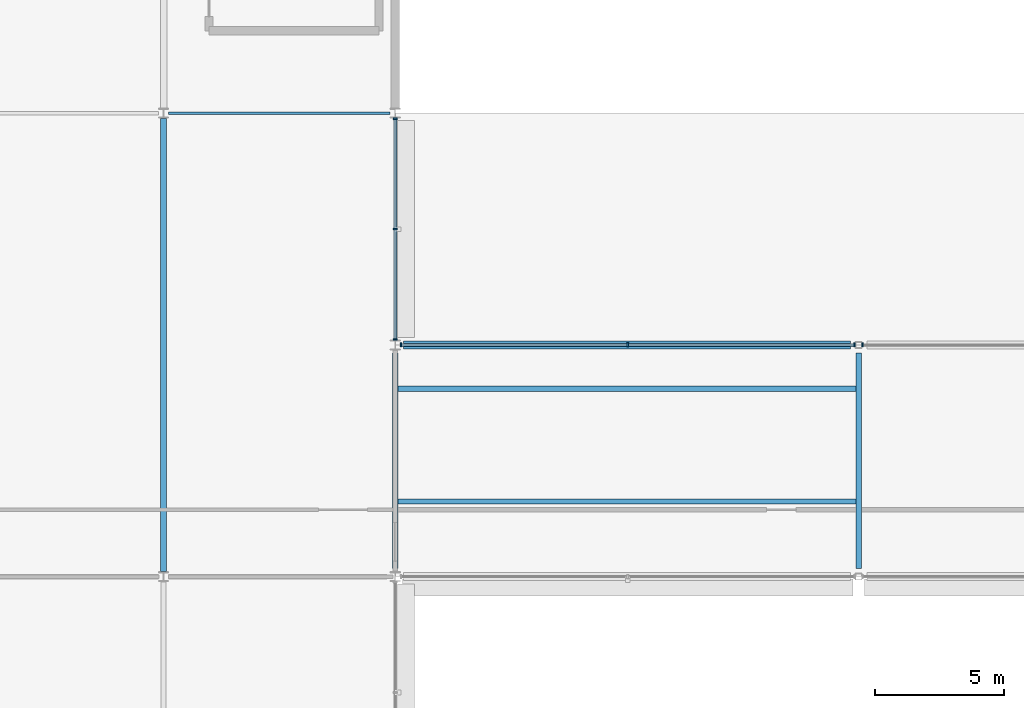
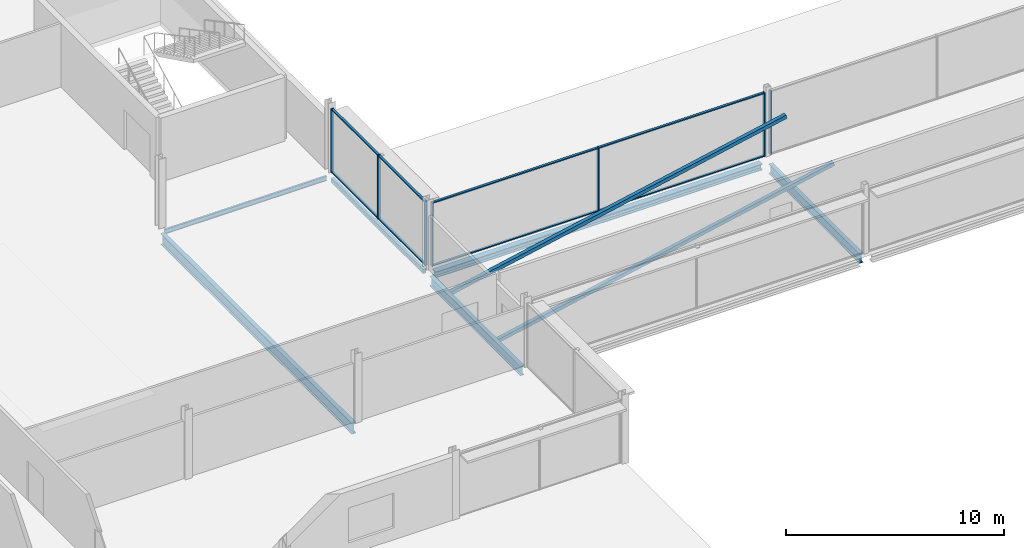
# One storey, part 20 of 105: 17 members, 6 beams, 3 elements without a shape of their own.
"""IFC4 building model written with IfcOpenShell, lengths in metres."""

from ifc_helpers import new_model, si_unit, direction, frame, origin, origin_2d, place, context, subcontext, project, spatial, rectangle, hollow_rectangle, i_section, extrude, material, layer, layer_set, material_profile, profile_set, type_object, element, aggregate, save


model = new_model("IFC4")

# Units and contexts
model_context = context("Model", 3, precision=1e-05, world=origin(), true_north=direction((0.0, 1.0)))
body_context = subcontext(model_context, "Body", "Model", "MODEL_VIEW")
ifc_project = project(units=[si_unit("LENGTHUNIT", "METRE"), si_unit("AREAUNIT", "SQUARE_METRE"), si_unit("VOLUMEUNIT", "CUBIC_METRE"), si_unit("PLANEANGLEUNIT", "RADIAN"), si_unit("MASSUNIT", "GRAM", prefix="KILO")], contexts=[model_context])

# Site, building, storey
site_placement = place(None, origin())
site = spatial("IfcSite", under=ifc_project, at=site_placement, CompositionType="ELEMENT")
building_placement = place(site_placement, origin())
building = spatial("IfcBuilding", under=site, at=building_placement, Name="Kisiwana Market Hall", CompositionType="ELEMENT")
storey_placement = place(building_placement, frame((0.0, 0.0, 21.60009765625)))
storey = spatial("IfcBuildingStorey", under=building, at=storey_placement, Name="L04", CompositionType="ELEMENT", Elevation=21.60009765625)

# Beams
ifc_material_1 = material(Name="Steel S355", Category="steel")
ifc_material_profile_1 = material_profile(ifc_material_1, i_section(OverallWidth=0.209228515625, OverallDepth=0.533203125, WebThickness=0.010009765625, FlangeThickness=0.015625, at=origin_2d()), Name="UB 533x210x92")
ifc_profile_set_1 = profile_set([ifc_material_profile_1], Name="Steel S355")
beam_type_1 = type_object("IfcBeamType", Name="BM-GIRD-UB533", PredefinedType="BEAM", material=ifc_profile_set_1)
for number, where, z_axis, x_axis, name in (
    (1, (45.0, 18.321044921875, -0.53173828125), (0.0, 1.0, 0.0), (-1.0, 0.0, 0.0), "Primary girder B-1357"),
    (2, (63.0, 18.321044921875, -0.53173828125), (0.0, 1.0, 0.0), (-1.0, 0.0, 0.0), "Primary girder B-1359"),
):
    element("IfcBeam", number, at=place(storey_placement, frame(where, z_axis=z_axis, x_axis=x_axis)), inside=storey, type_object=beam_type_1, Name=name, PredefinedType="BEAM", context=body_context, shape_type="SweptSolid", body=[
        extrude(i_section(OverallWidth=0.209228515625, OverallDepth=0.533203125, WebThickness=0.010009765625, FlangeThickness=0.015625, at=origin_2d()), origin(), (0.0, 0.0, 1.0), 8.35791015625),
    ])
ifc_material_2 = material(Name="Steel S355", Category="steel")
ifc_material_profile_2 = material_profile(ifc_material_2, i_section(OverallWidth=0.22900390625, OverallDepth=0.6123046875, WebThickness=0.011962890625, FlangeThickness=0.01953125, at=origin_2d()), Name="UB 610x229x125")
ifc_profile_set_2 = profile_set([ifc_material_profile_2], Name="Steel S355")
beam_type_2 = type_object("IfcBeamType", Name="BM-GIRD-UB610H", PredefinedType="BEAM", material=ifc_profile_set_2)
beam_1_placement = place(storey_placement, frame((36.0, 18.2041015625, -0.55126953125), z_axis=(0.0, 1.0, 0.0), x_axis=(-1.0, 0.0, 0.0)))
element("IfcBeam", 3, at=beam_1_placement, inside=storey, type_object=beam_type_2, Name="Primary girder B-1352", PredefinedType="BEAM", context=body_context, shape_type="SweptSolid", body=[
    extrude(i_section(OverallWidth=0.22900390625, OverallDepth=0.6123046875, WebThickness=0.011962890625, FlangeThickness=0.01953125, at=origin_2d()), origin(), (0.0, 0.0, 1.0), 17.591796875),
])
ifc_material_3 = material(Name="Steel S355", Category="steel")
ifc_material_profile_3 = material_profile(ifc_material_3, i_section(OverallWidth=0.102294921875, OverallDepth=0.260498046875, WebThickness=0.00634765625, FlangeThickness=0.010009765625, FilletRadius=0.007568359375, at=origin_2d()), Name="UB 254x102x28")
ifc_profile_set_3 = profile_set([ifc_material_profile_3], Name="Steel S355")
beam_type_3 = type_object("IfcBeamType", Name="BM-JOIST-UB028", PredefinedType="JOIST", material=ifc_profile_set_3)
beam_2_placement = place(storey_placement, frame((36.198974609375, 36.0, -0.375244140625), z_axis=(1.0, 0.0, 0.0), x_axis=(0.0, 1.0, 0.0)))
element("IfcBeam", 4, at=beam_2_placement, inside=storey, type_object=beam_type_3, Name="Floor beam B-1446", PredefinedType="JOIST", context=body_context, shape_type="SweptSolid", body=[
    extrude(i_section(OverallWidth=0.102294921875, OverallDepth=0.260498046875, WebThickness=0.00634765625, FlangeThickness=0.010009765625, FilletRadius=0.007568359375, at=origin_2d()), origin(), (0.0, 0.0, 1.0), 8.59912109375),
])
ifc_material_4 = material(Name="Steel S355", Category="steel")
ifc_material_profile_4 = material_profile(ifc_material_4, i_section(OverallWidth=0.314453125, OverallDepth=0.33984375, WebThickness=0.01904296875, FlangeThickness=0.031494140625, at=origin_2d()), Name="UC 305x305x198")
ifc_profile_set_4 = profile_set([ifc_material_profile_4], Name="Steel S355")
beam_type_4 = type_object("IfcBeamType", Name="BM-SKYBR-CHORD", PredefinedType="BEAM", material=ifc_profile_set_4)
beam_3_placement = place(storey_placement, frame((45.321044921875, 27.0, -0.462158203125), z_axis=(1.0, 0.0, 0.0), x_axis=(0.0, 1.0, 0.0)))
element("IfcBeam", 5, at=beam_3_placement, inside=storey, type_object=beam_type_4, Name="Floor beam B-1437", PredefinedType="BEAM", context=body_context, shape_type="SweptSolid", body=[
    extrude(i_section(OverallWidth=0.314453125, OverallDepth=0.33984375, WebThickness=0.01904296875, FlangeThickness=0.031494140625, at=origin_2d()), origin(), (0.0, 0.0, 1.0), 17.35791015625),
])
ifc_material_5 = material(Name="Steel S355", Category="steel")
ifc_material_profile_5 = material_profile(ifc_material_5, hollow_rectangle(XDim=0.14990234375, YDim=0.25, WallThickness=0.010009765625, at=origin_2d()), Name="RHS 250x150x10.0")
ifc_profile_set_5 = profile_set([ifc_material_profile_5], Name="Steel S355")
beam_type_5 = type_object("IfcBeamType", Name="BM-SPAN-RHS250", PredefinedType="SPANDREL", material=ifc_profile_set_5)
beam_4_placement = place(storey_placement, frame((45.0, 27.321044921875, -0.4169921875), z_axis=(0.0, 1.0, 0.0), x_axis=(-1.0, 0.0, 0.0)))
element("IfcBeam", 6, at=beam_4_placement, inside=storey, type_object=beam_type_5, Name="Floor beam B-1498", PredefinedType="SPANDREL", context=body_context, shape_type="SweptSolid", body=[
    extrude(hollow_rectangle(XDim=0.14990234375, YDim=0.25, WallThickness=0.010009765625, at=origin_2d()), origin(), (0.0, 0.0, 1.0), 8.465576171875),
])

# Curtain wall, members
ifc_material_6 = material(Name="Double-glazed solar-control low-E IGU", Category="glass")
ifc_layer = layer(ifc_material_6, 0.159912109375)
ifc_layer_set = layer_set([ifc_layer], Name="CW-ZNA-EW-8200")
curtain_wall_type = type_object("IfcCurtainWallType", Name="CW-ZNA-EW-8200", PredefinedType="USERDEFINED", material=ifc_layer_set)
curtain_wall_1_placement = place(storey_placement, origin())
curtain_wall_1 = element("IfcCurtainWall", 7, at=curtain_wall_1_placement, inside=storey, type_object=curtain_wall_type, Name="Unitised curtain wall CW-098 (L04)", ObjectType="UNITISED CURTAIN WALL", PredefinedType="USERDEFINED")
ifc_material_7 = material(Name="Aluminium alloy 6063-T6", Category="aluminium")
ifc_material_profile_6 = material_profile(ifc_material_7, rectangle(XDim=0.06005859375, YDim=0.159912109375, at=origin_2d()), Name="ALU MULLION 60x160")
ifc_profile_set_6 = profile_set([ifc_material_profile_6], Name="Aluminium alloy 6063-T6")
member_type_1 = type_object("IfcMemberType", Name="CW-MULL-60x160", PredefinedType="MULLION", material=ifc_profile_set_6)
member_1_placement = place(storey_placement, frame((45.21630859375, 27.0, 0.0), z_axis=(0.0, 0.0, 1.0), x_axis=(1.0, 0.0, 0.0)))
member_1 = element("IfcMember", 8, at=member_1_placement, type_object=member_type_1, Name="CW-098 mullion 1", PredefinedType="MULLION", context=body_context, shape_type="SweptSolid", body=[
    extrude(rectangle(XDim=0.06005859375, YDim=0.159912109375, at=origin_2d()), origin(), (0.0, 0.0, 1.0), 3.5849609375),
])
member_2_placement = place(storey_placement, frame((54.03076171875, 27.0, 0.0), z_axis=(0.0, 0.0, 1.0), x_axis=(1.0, 0.0, 0.0)))
member_2 = element("IfcMember", 9, at=member_2_placement, type_object=member_type_1, Name="CW-098 mullion 2", PredefinedType="MULLION", context=body_context, shape_type="SweptSolid", body=[
    extrude(rectangle(XDim=0.06005859375, YDim=0.159912109375, at=origin_2d()), origin(), (0.0, 0.0, 1.0), 3.5849609375),
])
member_3_placement = place(storey_placement, frame((62.844970703125, 27.0, 0.0), z_axis=(0.0, 0.0, 1.0), x_axis=(1.0, 0.0, 0.0)))
member_3 = element("IfcMember", 10, at=member_3_placement, type_object=member_type_1, Name="CW-098 mullion 3", PredefinedType="MULLION", context=body_context, shape_type="SweptSolid", body=[
    extrude(rectangle(XDim=0.06005859375, YDim=0.159912109375, at=origin_2d()), origin(), (0.0, 0.0, 1.0), 3.5849609375),
])

# Curtain wall, member
curtain_wall_2_placement = place(storey_placement, origin())
curtain_wall_2 = element("IfcCurtainWall", 11, at=curtain_wall_2_placement, inside=storey, type_object=curtain_wall_type, Name="Unitised curtain wall CW-099 (L04)", ObjectType="UNITISED CURTAIN WALL", PredefinedType="USERDEFINED")
member_4_placement = place(storey_placement, frame((63.155029296875, 27.0, 0.0), z_axis=(0.0, 0.0, 1.0), x_axis=(1.0, 0.0, 0.0)))
member_4 = element("IfcMember", 12, at=member_4_placement, type_object=member_type_1, Name="CW-099 mullion 1", PredefinedType="MULLION", context=body_context, shape_type="SweptSolid", body=[
    extrude(rectangle(XDim=0.06005859375, YDim=0.159912109375, at=origin_2d()), origin(), (0.0, 0.0, 1.0), 3.5849609375),
])
aggregate(curtain_wall_2, [member_4])

# Curtain wall, members
curtain_wall_3_placement = place(storey_placement, origin())
curtain_wall_3 = element("IfcCurtainWall", 13, at=curtain_wall_3_placement, inside=storey, type_object=curtain_wall_type, Name="Unitised curtain wall CW-121 (L04)", ObjectType="UNITISED CURTAIN WALL", PredefinedType="USERDEFINED")
member_5_placement = place(storey_placement, frame((45.0, 27.214111328125, 0.0), z_axis=(0.0, 0.0, 1.0), x_axis=(0.0, 1.0, 0.0)))
member_5 = element("IfcMember", 14, at=member_5_placement, type_object=member_type_1, Name="CW-121 mullion 1", PredefinedType="MULLION", context=body_context, shape_type="SweptSolid", body=[
    extrude(rectangle(XDim=0.06005859375, YDim=0.159912109375, at=origin_2d()), origin(), (0.0, 0.0, 1.0), 3.5849609375),
])
member_6_placement = place(storey_placement, frame((45.0, 31.5, 0.0), z_axis=(0.0, 0.0, 1.0), x_axis=(0.0, 1.0, 0.0)))
member_6 = element("IfcMember", 15, at=member_6_placement, type_object=member_type_1, Name="CW-121 mullion 2", PredefinedType="MULLION", context=body_context, shape_type="SweptSolid", body=[
    extrude(rectangle(XDim=0.06005859375, YDim=0.159912109375, at=origin_2d()), origin(), (0.0, 0.0, 1.0), 3.5849609375),
])
member_7_placement = place(storey_placement, frame((45.0, 35.785888671875, 0.0), z_axis=(0.0, 0.0, 1.0), x_axis=(0.0, 1.0, 0.0)))
member_7 = element("IfcMember", 16, at=member_7_placement, type_object=member_type_1, Name="CW-121 mullion 3", PredefinedType="MULLION", context=body_context, shape_type="SweptSolid", body=[
    extrude(rectangle(XDim=0.06005859375, YDim=0.159912109375, at=origin_2d()), origin(), (0.0, 0.0, 1.0), 3.5849609375),
])

# Member
ifc_material_8 = material(Name="Aluminium alloy 6063-T6", Category="aluminium")
ifc_material_profile_7 = material_profile(ifc_material_8, rectangle(XDim=0.1201171875, YDim=0.06005859375, at=origin_2d()), Name="ALU TRANSOM 60x120")
ifc_profile_set_7 = profile_set([ifc_material_profile_7], Name="Aluminium alloy 6063-T6")
member_type_2 = type_object("IfcMemberType", Name="CW-TRAN-60x120", PredefinedType="USERDEFINED", material=ifc_profile_set_7)
member_8_placement = place(storey_placement, frame((45.246337890625, 27.0, 0.02978515625), z_axis=(1.0, 0.0, 0.0), x_axis=(0.0, 1.0, 0.0)))
member_8 = element("IfcMember", 17, at=member_8_placement, type_object=member_type_2, Name="CW-098 transom 1.1", ObjectType="TRANSOM", PredefinedType="USERDEFINED", context=body_context, shape_type="SweptSolid", body=[
    extrude(rectangle(XDim=0.1201171875, YDim=0.06005859375, at=origin_2d()), origin(), (0.0, 0.0, 1.0), 8.75439453125),
])

member_9_placement = place(storey_placement, frame((45.246337890625, 27.0, 3.554931640625), z_axis=(1.0, 0.0, 0.0), x_axis=(0.0, 1.0, 0.0)))
member_9 = element("IfcMember", 18, at=member_9_placement, type_object=member_type_2, Name="CW-098 transom 1.2", ObjectType="TRANSOM", PredefinedType="USERDEFINED", context=body_context, shape_type="SweptSolid", body=[
    extrude(rectangle(XDim=0.1201171875, YDim=0.06005859375, at=origin_2d()), origin(), (0.0, 0.0, 1.0), 8.75439453125),
])

member_10_placement = place(storey_placement, frame((54.060546875, 27.0, 0.02978515625), z_axis=(1.0, 0.0, 0.0), x_axis=(0.0, 1.0, 0.0)))
member_10 = element("IfcMember", 19, at=member_10_placement, type_object=member_type_2, Name="CW-098 transom 2.1", ObjectType="TRANSOM", PredefinedType="USERDEFINED", context=body_context, shape_type="SweptSolid", body=[
    extrude(rectangle(XDim=0.1201171875, YDim=0.06005859375, at=origin_2d()), origin(), (0.0, 0.0, 1.0), 8.75439453125),
])

member_11_placement = place(storey_placement, frame((54.060546875, 27.0, 3.554931640625), z_axis=(1.0, 0.0, 0.0), x_axis=(0.0, 1.0, 0.0)))
member_11 = element("IfcMember", 20, at=member_11_placement, type_object=member_type_2, Name="CW-098 transom 2.2", ObjectType="TRANSOM", PredefinedType="USERDEFINED", context=body_context, shape_type="SweptSolid", body=[
    extrude(rectangle(XDim=0.1201171875, YDim=0.06005859375, at=origin_2d()), origin(), (0.0, 0.0, 1.0), 8.75439453125),
])

aggregate(curtain_wall_1, [member_1, member_2, member_3, member_8, member_9, member_10, member_11])

member_12_placement = place(storey_placement, frame((45.0, 27.244140625, 0.02978515625), z_axis=(0.0, 1.0, 0.0), x_axis=(-1.0, 0.0, 0.0)))
member_12 = element("IfcMember", 21, at=member_12_placement, type_object=member_type_2, Name="CW-121 transom 1.1", ObjectType="TRANSOM", PredefinedType="USERDEFINED", context=body_context, shape_type="SweptSolid", body=[
    extrude(rectangle(XDim=0.1201171875, YDim=0.06005859375, at=origin_2d()), origin(), (0.0, 0.0, 1.0), 4.225830078125),
])

member_13_placement = place(storey_placement, frame((45.0, 27.244140625, 3.554931640625), z_axis=(0.0, 1.0, 0.0), x_axis=(-1.0, 0.0, 0.0)))
member_13 = element("IfcMember", 22, at=member_13_placement, type_object=member_type_2, Name="CW-121 transom 1.2", ObjectType="TRANSOM", PredefinedType="USERDEFINED", context=body_context, shape_type="SweptSolid", body=[
    extrude(rectangle(XDim=0.1201171875, YDim=0.06005859375, at=origin_2d()), origin(), (0.0, 0.0, 1.0), 4.225830078125),
])

member_14_placement = place(storey_placement, frame((45.0, 31.530029296875, 0.02978515625), z_axis=(0.0, 1.0, 0.0), x_axis=(-1.0, 0.0, 0.0)))
member_14 = element("IfcMember", 23, at=member_14_placement, type_object=member_type_2, Name="CW-121 transom 2.1", ObjectType="TRANSOM", PredefinedType="USERDEFINED", context=body_context, shape_type="SweptSolid", body=[
    extrude(rectangle(XDim=0.1201171875, YDim=0.06005859375, at=origin_2d()), origin(), (0.0, 0.0, 1.0), 4.225830078125),
])

member_15_placement = place(storey_placement, frame((45.0, 31.530029296875, 3.554931640625), z_axis=(0.0, 1.0, 0.0), x_axis=(-1.0, 0.0, 0.0)))
member_15 = element("IfcMember", 24, at=member_15_placement, type_object=member_type_2, Name="CW-121 transom 2.2", ObjectType="TRANSOM", PredefinedType="USERDEFINED", context=body_context, shape_type="SweptSolid", body=[
    extrude(rectangle(XDim=0.1201171875, YDim=0.06005859375, at=origin_2d()), origin(), (0.0, 0.0, 1.0), 4.225830078125),
])

aggregate(curtain_wall_3, [member_5, member_6, member_7, member_12, member_13, member_14, member_15])

# Members
ifc_material_9 = material(Name="Steel S355", Category="steel")
ifc_material_profile_8 = material_profile(ifc_material_9, hollow_rectangle(XDim=0.199951171875, YDim=0.199951171875, WallThickness=0.010009765625, at=origin_2d()), Name="SHS 200x200x10.0")
ifc_profile_set_8 = profile_set([ifc_material_profile_8], Name="Steel S355")
member_type_3 = type_object("IfcMemberType", Name="MB-SKY-DIAG200", PredefinedType="BRACE", material=ifc_profile_set_8)
for number, where, z_axis, x_axis, name in (
    (25, (45.0, 20.919921875, -0.5), (0.979144505841, 0.0, 0.203165047883), (0.0, 1.0, 0.0), "Skybridge truss diagonal L04 grids 6 to 8 M-0486"),
    (26, (45.0, 25.300048828125, -0.5), (0.979144505841, 0.0, 0.203165047883), (0.0, 1.0, 0.0), "Skybridge truss diagonal L04 grids 6 to 8 M-0487"),
):
    element("IfcMember", number, at=place(storey_placement, frame(where, z_axis=z_axis, x_axis=x_axis)), inside=storey, type_object=member_type_3, Name=name, PredefinedType="BRACE", context=body_context, shape_type="SweptSolid", body=[
        extrude(hollow_rectangle(XDim=0.199951171875, YDim=0.199951171875, WallThickness=0.010009765625, at=origin_2d()), origin(), (0.0, 0.0, 1.0), 18.38330078125),
    ])

save(model, "model.ifc")
